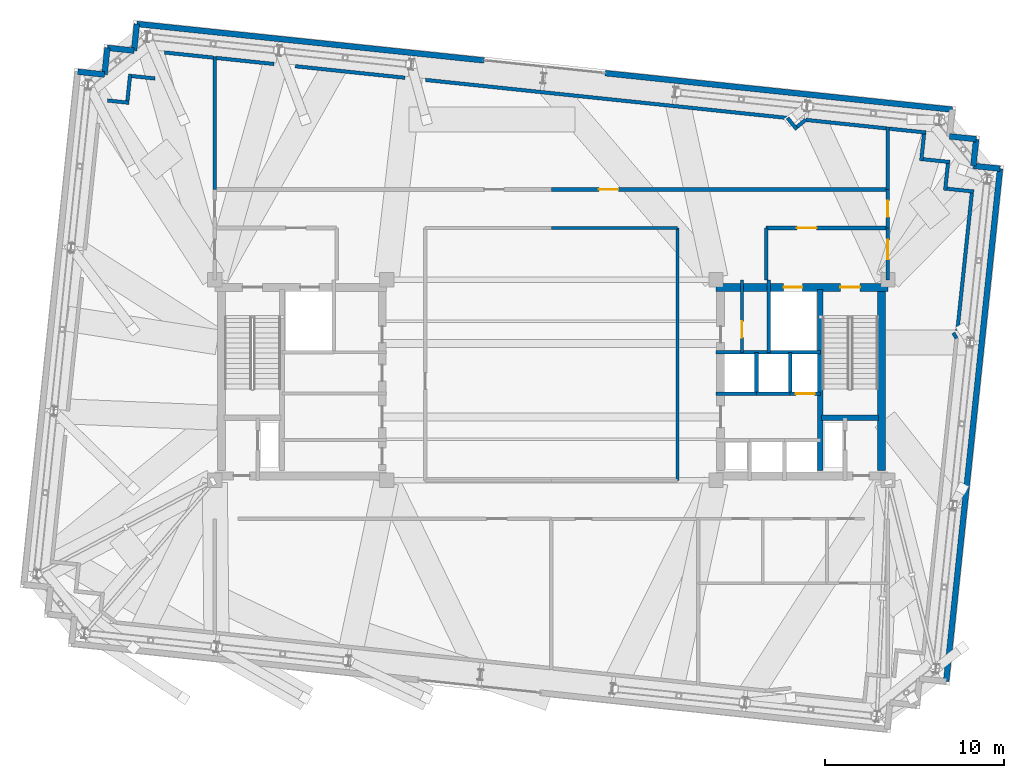
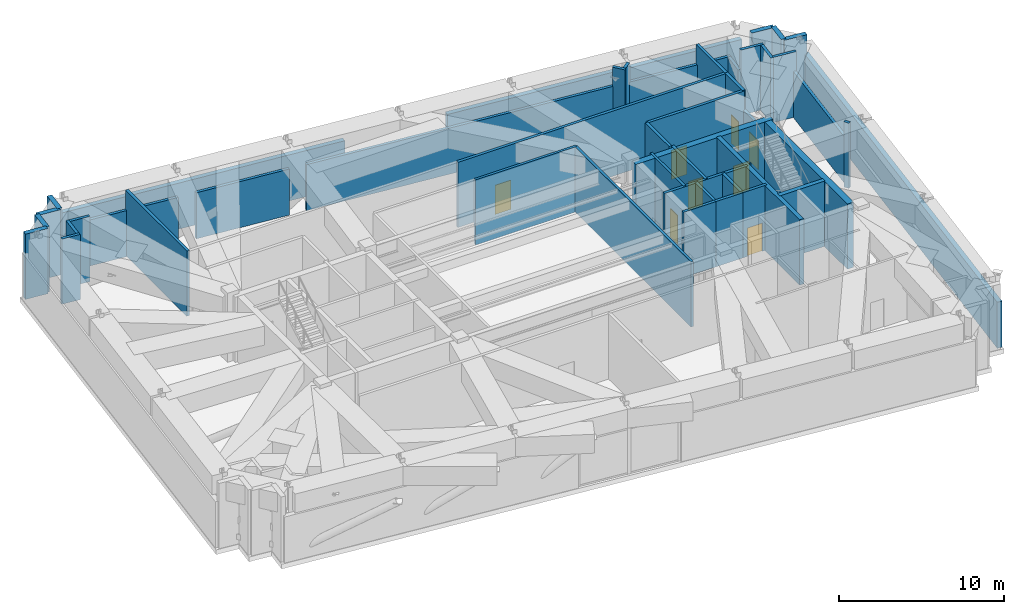
# One storey, part 18 of 21: 48 walls, 8 doors, 8 openings.
"""IFC4 building model written with IfcOpenShell, lengths in metres."""

from ifc_helpers import new_model, si_unit, direction, frame, frame_2d, origin, place, context, subcontext, project, spatial, rectangle, extrude, material, layer, layer_set, type_object, element, fill, save


model = new_model("IFC4")

# Units and contexts
model_context = context("Model", 3, precision=1e-05, world=origin(), true_north=direction((0.0, 1.0)))
body_context = subcontext(model_context, "Body", "Model", "MODEL_VIEW")
ifc_project = project(units=[si_unit("LENGTHUNIT", "METRE"), si_unit("AREAUNIT", "SQUARE_METRE"), si_unit("VOLUMEUNIT", "CUBIC_METRE"), si_unit("PLANEANGLEUNIT", "RADIAN"), si_unit("MASSUNIT", "GRAM", prefix="KILO")], contexts=[model_context])

# Site, building, storey
site_placement = place(None, origin())
site = spatial("IfcSite", under=ifc_project, at=site_placement, CompositionType="ELEMENT")
building_placement = place(site_placement, origin())
building = spatial("IfcBuilding", under=site, at=building_placement, Name="Qobustan Lattice House", CompositionType="ELEMENT")
storey_placement = place(building_placement, frame((0.0, 0.0, 223.199951171875)))
storey = spatial("IfcBuildingStorey", under=building, at=storey_placement, Name="L63", CompositionType="ELEMENT", Elevation=223.199951171875)

# Wall, openings, doors
ifc_material_1 = material(Name="Concrete C50/60", Category="concrete")
ifc_layer_1 = layer(ifc_material_1, 0.43994140625)
ifc_layer_set_1 = layer_set([ifc_layer_1], Name="Concrete C50/60")
wall_type_1 = type_object("IfcWallType", Name="WAL-CORE-440", PredefinedType="SHEAR", material=ifc_layer_set_1)
wall_1_placement = place(storey_placement, frame((9.199951171875, 5.179931640625, 0.0), z_axis=(0.0, 0.0, 1.0), x_axis=(1.0, 0.0, 0.0)))
wall_1 = element("IfcWall", 1, at=wall_1_placement, inside=storey, type_object=wall_type_1, Name="L63 split-core shear wall CE-N", PredefinedType="SHEAR", context=body_context, shape_type="SweptSolid", body=[
    extrude(rectangle(XDim=9.60009765625, YDim=0.43994140625, at=frame_2d((4.800048828125, 0.0))), origin(), (0.0, 0.0, 1.0), 4.820068359375),
])
opening_1_placement = place(wall_1_placement, frame((6.949951171875, 0.0, 0.0)))
opening_1 = element("IfcOpeningElement", 2, at=opening_1_placement, cuts=wall_1, Name="Opening SD-01", PredefinedType="OPENING", context=body_context, shape_type="SweptSolid", body=[
    extrude(rectangle(XDim=1.10009765625, YDim=2.14990234375, at=frame_2d((0.550048828125, 1.074951171875))), frame((0.0, 0.22998046875, 0.0), z_axis=(0.0, -1.0, 0.0), x_axis=(1.0, 0.0, 0.0)), (0.0, 0.0, 1.0), 0.4599609375),
])
opening_2_placement = place(wall_1_placement, frame((3.77490234375, 0.0, 0.0)))
opening_2 = element("IfcOpeningElement", 3, at=opening_2_placement, cuts=wall_1, Name="Opening LD-01", PredefinedType="OPENING", context=body_context, shape_type="SweptSolid", body=[
    extrude(rectangle(XDim=1.050048828125, YDim=2.10009765625, at=frame_2d((0.52490234375, 1.050048828125))), frame((0.0, 0.22998046875, 0.0), z_axis=(0.0, -1.0, 0.0), x_axis=(1.0, 0.0, 0.0)), (0.0, 0.0, 1.0), 0.4599609375),
])
ifc_material_2 = material(Name="Persian walnut timber and steel frame door", Category="steel")
door_type_1 = type_object("IfcDoorType", Name="DOR-LIFT-LD-1050x2100", OperationType="NOTDEFINED", PredefinedType="DOOR", material=ifc_material_2)
door_1_placement = place(opening_2_placement, origin())
door_1 = element("IfcDoor", 4, at=door_1_placement, inside=storey, type_object=door_type_1, Name="L63 firefighting lift FF-E landing door", OperationType="DOUBLE_DOOR_SLIDING", OverallHeight=2.10009765625, OverallWidth=1.050048828125, PredefinedType="DOOR", context=body_context, shape_type="SweptSolid", body=[
    extrude(rectangle(XDim=1.050048828125, YDim=2.10009765625, at=frame_2d((0.52490234375, 1.050048828125))), frame((0.0, 0.02490234375, 0.0), z_axis=(0.0, -1.0, 0.0), x_axis=(1.0, 0.0, 0.0)), (0.0, 0.0, 1.0), 0.050048828125),
])
fill(opening_2, door_1)
ifc_material_3 = material(Name="Persian walnut timber and steel frame door", Category="steel")
door_type_2 = type_object("IfcDoorType", Name="DOR-STAIR-FD-1100x2150", OperationType="NOTDEFINED", PredefinedType="DOOR", material=ifc_material_3)
door_2_placement = place(opening_1_placement, origin())
door_2 = element("IfcDoor", 5, at=door_2_placement, inside=storey, type_object=door_type_2, Name="L63 exit stair ST-E1 fire door", OperationType="SINGLE_SWING_RIGHT", OverallHeight=2.14990234375, OverallWidth=1.10009765625, PredefinedType="DOOR", context=body_context, shape_type="SweptSolid", body=[
    extrude(rectangle(XDim=1.10009765625, YDim=2.14990234375, at=frame_2d((0.550048828125, 1.074951171875))), frame((0.0, 0.02490234375, 0.0), z_axis=(0.0, -1.0, 0.0), x_axis=(1.0, 0.0, 0.0)), (0.0, 0.0, 1.0), 0.050048828125),
])
fill(opening_1, door_2)

# Walls
wall_2_placement = place(storey_placement, frame((18.429931640625, -5.050048828125, 0.0), z_axis=(0.0, 0.0, 1.0), x_axis=(0.0, 1.0, 0.0)))
element("IfcWall", 6, at=wall_2_placement, inside=storey, type_object=wall_type_1, Name="L63 split-core shear wall CE-E", PredefinedType="SHEAR", context=body_context, shape_type="SweptSolid", body=[
    extrude(rectangle(XDim=10.10009765625, YDim=0.43994140625, at=frame_2d((5.050048828125, 0.0))), origin(), (0.0, 0.0, 1.0), 4.820068359375),
])
ifc_material_4 = material(Name="Concrete C50/60", Category="concrete")
ifc_layer_2 = layer(ifc_material_4, 0.280029296875)
ifc_layer_set_2 = layer_set([ifc_layer_2], Name="Concrete C50/60")
wall_type_2 = type_object("IfcWallType", Name="WAL-CORE-SPINE-280", PredefinedType="SHEAR", material=ifc_layer_set_2)
wall_3_placement = place(storey_placement, frame((15.02001953125, -5.050048828125, 0.0), z_axis=(0.0, 0.0, 1.0), x_axis=(0.0, 1.0, 0.0)))
element("IfcWall", 7, at=wall_3_placement, inside=storey, type_object=wall_type_2, Name="L63 split-core shear wall CE-M", PredefinedType="SHEAR", context=body_context, shape_type="SweptSolid", body=[
    extrude(rectangle(XDim=10.10009765625, YDim=0.300048828125, at=frame_2d((5.050048828125, 0.0))), origin(), (0.0, 0.0, 1.0), 4.820068359375),
])
wall_4_placement = place(storey_placement, frame((15.10009765625, -2.110107421875, 0.0), z_axis=(0.0, 0.0, 1.0), x_axis=(1.0, 0.0, 0.0)))
element("IfcWall", 8, at=wall_4_placement, inside=storey, type_object=wall_type_2, Name="L63 split-core shear wall CE-ST", PredefinedType="SHEAR", context=body_context, shape_type="SweptSolid", body=[
    extrude(rectangle(XDim=3.179931640625, YDim=0.300048828125, at=frame_2d((1.58984375, 0.0))), origin(), (0.0, 0.0, 1.0), 4.820068359375),
])
ifc_material_5 = material(Name="Precast concrete C40/50", Category="concrete")
ifc_layer_3 = layer(ifc_material_5, 0.320068359375)
ifc_layer_set_3 = layer_set([ifc_layer_3], Name="Precast concrete C40/50")
wall_type_3 = type_object("IfcWallType", Name="WAL-EXT-STONE-320", PredefinedType="SOLIDWALL", material=ifc_layer_set_3)
wall_5_placement = place(storey_placement, frame((-26.452880859375, 17.228515625, 0.0), z_axis=(0.0, 0.0, 1.0), x_axis=(0.994508128223, -0.104659366031, 0.0)))
element("IfcWall", 9, at=wall_5_placement, inside=storey, type_object=wall_type_3, Name="L63 exterior limestone-clad wall 6", PredefinedType="SOLIDWALL", context=body_context, shape_type="SweptSolid", body=[
    extrude(rectangle(XDim=1.5, YDim=0.320068359375, at=frame_2d((0.75, 0.0))), origin(), (0.0, 0.0, 1.0), 4.820068359375),
])
wall_6_placement = place(storey_placement, frame((-24.961181640625, 17.071533203125, 0.0), z_axis=(0.0, 0.0, 1.0), x_axis=(0.104642427191, 0.994509910675, 0.0)))
element("IfcWall", 10, at=wall_6_placement, inside=storey, type_object=wall_type_3, Name="L63 exterior limestone-clad wall 7", PredefinedType="SOLIDWALL", context=body_context, shape_type="SweptSolid", body=[
    extrude(rectangle(XDim=1.500244140625, YDim=0.320068359375, at=frame_2d((0.75, 0.0))), origin(), (0.0, 0.0, 1.0), 4.820068359375),
])
wall_7_placement = place(storey_placement, frame((-24.80419921875, 18.5634765625, 0.0), z_axis=(0.0, 0.0, 1.0), x_axis=(0.994508128223, -0.104659366031, 0.0)))
element("IfcWall", 11, at=wall_7_placement, inside=storey, type_object=wall_type_3, Name="L63 exterior limestone-clad wall 8", PredefinedType="SOLIDWALL", context=body_context, shape_type="SweptSolid", body=[
    extrude(rectangle(XDim=1.5, YDim=0.320068359375, at=frame_2d((0.75, 0.0))), origin(), (0.0, 0.0, 1.0), 4.820068359375),
])
wall_8_placement = place(storey_placement, frame((-23.3125, 18.406494140625, 0.0), z_axis=(0.0, 0.0, 1.0), x_axis=(0.104481464157, 0.994526834051, 0.0)))
element("IfcWall", 12, at=wall_8_placement, inside=storey, type_object=wall_type_3, Name="L63 exterior limestone-clad wall 9", PredefinedType="SOLIDWALL", context=body_context, shape_type="SweptSolid", body=[
    extrude(rectangle(XDim=1.500244140625, YDim=0.320068359375, at=frame_2d((0.75, 0.0))), origin(), (0.0, 0.0, 1.0), 4.820068359375),
])
for number, where, z_axis, x_axis, name in (
    (13, (-23.15576171875, 19.8984375, 0.0), (0.0, 0.0, 1.0), (0.994521699907, -0.104530322941, 0.0), "L63 exterior stone wall 10A"),
    (14, (3.000244140625, 17.1494140625, 0.0), (0.0, 0.0, 1.0), (0.994521699907, -0.104530322941, 0.0), "L63 exterior stone wall 10B"),
):
    element("IfcWall", number, at=place(storey_placement, frame(where, z_axis=z_axis, x_axis=x_axis)), inside=storey, type_object=wall_type_3, Name=name, PredefinedType="SOLIDWALL", context=body_context, shape_type="SweptSolid", body=[
        extrude(rectangle(XDim=19.5, YDim=0.320068359375, at=frame_2d((9.75, 0.0))), origin(), (0.0, 0.0, 1.0), 3.405029296875),
    ])
for number, where, z_axis, x_axis, name in (
    (15, (22.236572265625, 13.619140625, 0.0), (0.0, 0.0, 1.0), (0.994525057048, -0.104498377516, 0.0), "L63 exterior limestone-clad wall 12"),
    (16, (23.728271484375, 13.46240234375, 0.0), (0.0, 0.0, 1.0), (-0.104498377516, -0.994525057048, 0.0), "L63 exterior limestone-clad wall 13"),
    (17, (23.571533203125, 11.970703125, 0.0), (0.0, 0.0, 1.0), (0.994508128223, -0.104659366031, 0.0), "L63 exterior limestone-clad wall 14"),
):
    element("IfcWall", number, at=place(storey_placement, frame(where, z_axis=z_axis, x_axis=x_axis)), inside=storey, type_object=wall_type_3, Name=name, PredefinedType="SOLIDWALL", context=body_context, shape_type="SweptSolid", body=[
        extrude(rectangle(XDim=1.5, YDim=0.320068359375, at=frame_2d((0.75, 0.0))), origin(), (0.0, 0.0, 1.0), 4.820068359375),
    ])
wall_9_placement = place(storey_placement, frame((25.063232421875, 11.813720703125, 0.0), z_axis=(0.0, 0.0, 1.0), x_axis=(-0.104523275986, -0.99452244056, 0.0)))
element("IfcWall", 18, at=wall_9_placement, inside=storey, type_object=wall_type_3, Name="L63 exterior limestone-clad wall 15", PredefinedType="SOLIDWALL", context=body_context, shape_type="SweptSolid", body=[
    extrude(rectangle(XDim=28.7998046875, YDim=0.320068359375, at=frame_2d((14.39990234375, 0.0))), origin(), (0.0, 0.0, 1.0), 3.405029296875),
])

# Wall, opening, door
ifc_material_6 = material(Name="Gypsum fireboard acoustic partition", Category="gypsum")
ifc_layer_4 = layer(ifc_material_6, 0.179931640625)
ifc_layer_set_4 = layer_set([ifc_layer_4], Name="Gypsum fireboard acoustic partition")
wall_type_4 = type_object("IfcWallType", Name="WAL-FIRE-180", PredefinedType="PARTITIONING", material=ifc_layer_set_4)
wall_10_placement = place(storey_placement, frame((10.64990234375, 1.550048828125, 0.0), z_axis=(0.0, 0.0, 1.0), x_axis=(0.0, 1.0, 0.0)))
wall_10 = element("IfcWall", 19, at=wall_10_placement, inside=storey, type_object=wall_type_4, Name="L63 interior partition 18", PredefinedType="PARTITIONING", context=body_context, shape_type="SweptSolid", body=[
    extrude(rectangle(XDim=4.050048828125, YDim=0.179931640625, at=frame_2d((2.02490234375, 0.0))), origin(), (0.0, 0.0, 1.0), 4.820068359375),
])
opening_3_placement = place(wall_10_placement, frame((0.828857421875, 0.0, 0.0)))
opening_3 = element("IfcOpeningElement", 20, at=opening_3_placement, cuts=wall_10, Name="Opening RD-01", PredefinedType="OPENING", context=body_context, shape_type="SweptSolid", body=[
    extrude(rectangle(XDim=0.89990234375, YDim=2.10009765625, at=frame_2d((0.449951171875, 1.050048828125))), frame((0.0, 0.099853515625, 0.0), z_axis=(0.0, -1.0, 0.0), x_axis=(1.0, 0.0, 0.0)), (0.0, 0.0, 1.0), 0.199951171875),
])
ifc_material_7 = material(Name="Persian walnut timber and steel frame door", Category="steel")
door_type_3 = type_object("IfcDoorType", Name="DOR-RISER-FD-900x2100", OperationType="NOTDEFINED", PredefinedType="DOOR", material=ifc_material_7)
door_3_placement = place(opening_3_placement, origin())
door_3 = element("IfcDoor", 21, at=door_3_placement, inside=storey, type_object=door_type_3, Name="L63 Print and mail closet to Core utility store door", OperationType="SINGLE_SWING_LEFT", OverallHeight=2.10009765625, OverallWidth=0.89990234375, PredefinedType="DOOR", context=body_context, shape_type="SweptSolid", body=[
    extrude(rectangle(XDim=0.89990234375, YDim=2.10009765625, at=frame_2d((0.449951171875, 1.050048828125))), frame((0.0, 0.02490234375, 0.0), z_axis=(0.0, -1.0, 0.0), x_axis=(1.0, 0.0, 0.0)), (0.0, 0.0, 1.0), 0.050048828125),
])
fill(opening_3, door_3)

# Walls
wall_11_placement = place(storey_placement, frame((7.050048828125, 8.5, 0.0), z_axis=(0.0, 0.0, 1.0), x_axis=(-1.0, 0.0, 0.0)))
element("IfcWall", 22, at=wall_11_placement, inside=storey, type_object=wall_type_4, Name="L63 interior partition 36", PredefinedType="PARTITIONING", context=body_context, shape_type="SweptSolid", body=[
    extrude(rectangle(XDim=7.050048828125, YDim=0.179931640625, at=frame_2d((3.52490234375, 0.0))), origin(), (0.0, 0.0, 1.0), 4.820068359375),
])
wall_12_placement = place(storey_placement, frame((7.050048828125, -5.60009765625, 0.0), z_axis=(0.0, 0.0, 1.0), x_axis=(0.0, 1.0, 0.0)))
element("IfcWall", 23, at=wall_12_placement, inside=storey, type_object=wall_type_4, Name="L63 interior partition 45", PredefinedType="PARTITIONING", context=body_context, shape_type="SweptSolid", body=[
    extrude(rectangle(XDim=14.10009765625, YDim=0.179931640625, at=frame_2d((7.050048828125, 0.0))), origin(), (0.0, 0.0, 1.0), 4.820068359375),
])
ifc_material_8 = material(Name="Two-hour gypsum fireboard acoustic partition", Category="gypsum")
ifc_layer_5 = layer(ifc_material_8, 0.199951171875)
ifc_layer_set_5 = layer_set([ifc_layer_5], Name="Two-hour gypsum fireboard acoustic partition")
wall_type_5 = type_object("IfcWallType", Name="WAL-PROT-200", PredefinedType="PARTITIONING", material=ifc_layer_set_5)
wall_13_placement = place(storey_placement, frame((-24.7958984375, 15.621337890625, 0.0), z_axis=(0.0, 0.0, 1.0), x_axis=(0.994514301173, -0.104600691981, 0.0)))
element("IfcWall", 24, at=wall_13_placement, inside=storey, type_object=wall_type_5, Name="L63 perimeter belt-truss plenum enclosure wall 3", PredefinedType="PARTITIONING", context=body_context, shape_type="SweptSolid", body=[
    extrude(rectangle(XDim=1.208984375, YDim=0.199951171875, at=frame_2d((0.6044921875, 0.0))), origin(), (0.0, 0.0, 1.0), 4.820068359375),
])
wall_14_placement = place(storey_placement, frame((-23.68359375, 15.593017578125, 0.0), z_axis=(0.0, 0.0, 1.0), x_axis=(0.104474642843, 0.99452755065, 0.0)))
element("IfcWall", 25, at=wall_14_placement, inside=storey, type_object=wall_type_5, Name="L63 perimeter belt-truss plenum enclosure wall 4", PredefinedType="PARTITIONING", context=body_context, shape_type="SweptSolid", body=[
    extrude(rectangle(XDim=1.511962890625, YDim=0.199951171875, at=frame_2d((0.755859375, 0.0))), origin(), (0.0, 0.0, 1.0), 4.820068359375),
])
wall_15_placement = place(storey_placement, frame((-23.448486328125, 16.988037109375, 0.0), z_axis=(0.0, 0.0, 1.0), x_axis=(0.994524760271, -0.104501201947, 0.0)))
element("IfcWall", 26, at=wall_15_placement, inside=storey, type_object=wall_type_5, Name="L63 perimeter belt-truss plenum enclosure wall 5", PredefinedType="PARTITIONING", context=body_context, shape_type="SweptSolid", body=[
    extrude(rectangle(XDim=1.315185546875, YDim=0.199951171875, at=frame_2d((0.65771484375, 0.0))), origin(), (0.0, 0.0, 1.0), 4.820068359375),
])
wall_16_placement = place(storey_placement, frame((-21.60791015625, 18.302734375, 0.0), z_axis=(0.0, 0.0, 1.0), x_axis=(0.994526852179, -0.104481291599, 0.0)))
element("IfcWall", 27, at=wall_16_placement, inside=storey, type_object=wall_type_5, Name="L63 perimeter belt-truss plenum enclosure wall 6", PredefinedType="PARTITIONING", context=body_context, shape_type="SweptSolid", body=[
    extrude(rectangle(XDim=2.748046875, YDim=0.199951171875, at=frame_2d((1.3740234375, 0.0))), origin(), (0.0, 0.0, 1.0), 3.405029296875),
])
wall_17_placement = place(storey_placement, frame((-7.03515625, 16.771240234375, 0.0), z_axis=(0.0, 0.0, 1.0), x_axis=(0.994521160906, -0.104535450973, 0.0)))
element("IfcWall", 28, at=wall_17_placement, inside=storey, type_object=wall_type_5, Name="L63 perimeter belt-truss plenum enclosure wall 16", PredefinedType="PARTITIONING", context=body_context, shape_type="SweptSolid", body=[
    extrude(rectangle(XDim=20.339599609375, YDim=0.199951171875, at=frame_2d((10.169921875, 0.0))), origin(), (0.0, 0.0, 1.0), 3.405029296875),
])
wall_18_placement = place(storey_placement, frame((13.193115234375, 14.64501953125, 0.0), z_axis=(0.0, 0.0, 1.0), x_axis=(0.629378493195, -0.777098907671, 0.0)))
element("IfcWall", 29, at=wall_18_placement, inside=storey, type_object=wall_type_5, Name="L63 perimeter belt-truss plenum enclosure wall 17", PredefinedType="PARTITIONING", context=body_context, shape_type="SweptSolid", body=[
    extrude(rectangle(XDim=0.818115234375, YDim=0.199951171875, at=frame_2d((0.4091796875, 0.0))), origin(), (0.0, 0.0, 1.0), 4.820068359375),
])
wall_19_placement = place(storey_placement, frame((13.71337890625, 14.142333984375, 0.0), z_axis=(0.0, 0.0, 1.0), x_axis=(0.777380154482, 0.629031076671, 0.0)))
element("IfcWall", 30, at=wall_19_placement, inside=storey, type_object=wall_type_5, Name="L63 perimeter belt-truss plenum enclosure wall 18", PredefinedType="PARTITIONING", context=body_context, shape_type="SweptSolid", body=[
    extrude(rectangle(XDim=0.63037109375, YDim=0.199951171875, at=frame_2d((0.315185546875, 0.0))), origin(), (0.0, 0.0, 1.0), 4.820068359375),
])
wall_20_placement = place(storey_placement, frame((14.203369140625, 14.538818359375, 0.0), z_axis=(0.0, 0.0, 1.0), x_axis=(0.994525442473, -0.104494709306, 0.0)))
element("IfcWall", 31, at=wall_20_placement, inside=storey, type_object=wall_type_5, Name="L63 perimeter belt-truss plenum enclosure wall 19", PredefinedType="PARTITIONING", context=body_context, shape_type="SweptSolid", body=[
    extrude(rectangle(XDim=4.546630859375, YDim=0.199951171875, at=frame_2d((2.2734375, 0.0))), origin(), (0.0, 0.0, 1.0), 3.405029296875),
])
wall_21_placement = place(storey_placement, frame((-18.72509765625, 17.999755859375, 0.0), z_axis=(0.0, 0.0, 1.0), x_axis=(0.994523142387, -0.104516597995, 0.0)))
element("IfcWall", 32, at=wall_21_placement, inside=storey, type_object=wall_type_5, Name="L63 perimeter belt-truss plenum enclosure wall 20", PredefinedType="PARTITIONING", context=body_context, shape_type="SweptSolid", body=[
    extrude(rectangle(XDim=3.249267578125, YDim=0.199951171875, at=frame_2d((1.62451171875, 0.0))), origin(), (0.0, 0.0, 1.0), 3.405029296875),
])
wall_22_placement = place(storey_placement, frame((-14.305908203125, 17.535400390625, 0.0), z_axis=(0.0, 0.0, 1.0), x_axis=(0.994519987279, -0.104546615935, 0.0)))
element("IfcWall", 33, at=wall_22_placement, inside=storey, type_object=wall_type_5, Name="L63 perimeter belt-truss plenum enclosure wall 21", PredefinedType="PARTITIONING", context=body_context, shape_type="SweptSolid", body=[
    extrude(rectangle(XDim=6.16259765625, YDim=0.199951171875, at=frame_2d((3.081298828125, 0.0))), origin(), (0.0, 0.0, 1.0), 3.405029296875),
])
wall_23_placement = place(storey_placement, frame((23.48779296875, 10.4580078125, 0.0), z_axis=(0.0, 0.0, 1.0), x_axis=(-0.104512047203, -0.994523620629, 0.0)))
element("IfcWall", 34, at=wall_23_placement, inside=storey, type_object=wall_type_5, Name="L63 perimeter belt-truss plenum enclosure wall 27", PredefinedType="PARTITIONING", context=body_context, shape_type="SweptSolid", body=[
    extrude(rectangle(XDim=7.72509765625, YDim=0.199951171875, at=frame_2d((3.862548828125, 0.0))), origin(), (0.0, 0.0, 1.0), 3.405029296875),
])
wall_24_placement = place(storey_placement, frame((22.453125, 2.637939453125, 0.0), z_axis=(0.0, 0.0, 1.0), x_axis=(0.516744077091, -0.856139917765, 0.0)))
element("IfcWall", 35, at=wall_24_placement, inside=storey, type_object=wall_type_5, Name="L63 perimeter belt-truss plenum enclosure wall 28", PredefinedType="PARTITIONING", context=body_context, shape_type="SweptSolid", body=[
    extrude(rectangle(XDim=0.35107421875, YDim=0.199951171875, at=frame_2d((0.175537109375, 0.0))), origin(), (0.0, 0.0, 1.0), 4.820068359375),
])
wall_25_placement = place(storey_placement, frame((18.875, 14.0478515625, 0.0), z_axis=(0.0, 0.0, 1.0), x_axis=(0.994537827418, -0.104376768656, 0.0)))
element("IfcWall", 36, at=wall_25_placement, inside=storey, type_object=wall_type_5, Name="L63 perimeter belt-truss plenum enclosure wall 32", PredefinedType="PARTITIONING", context=body_context, shape_type="SweptSolid", body=[
    extrude(rectangle(XDim=2.06298828125, YDim=0.199951171875, at=frame_2d((1.031494140625, 0.0))), origin(), (0.0, 0.0, 1.0), 3.405029296875),
])
wall_26_placement = place(storey_placement, frame((20.818115234375, 13.75537109375, 0.0), z_axis=(0.0, 0.0, 1.0), x_axis=(-0.104617551623, -0.994512527771, 0.0)))
element("IfcWall", 37, at=wall_26_placement, inside=storey, type_object=wall_type_5, Name="L63 perimeter belt-truss plenum enclosure wall 33", PredefinedType="PARTITIONING", context=body_context, shape_type="SweptSolid", body=[
    extrude(rectangle(XDim=1.51220703125, YDim=0.199951171875, at=frame_2d((0.756103515625, 0.0))), origin(), (0.0, 0.0, 1.0), 3.405029296875),
])
for number, where, z_axis, x_axis, name in (
    (38, (20.7578125, 12.341796875, 0.0), (0.0, 0.0, 1.0), (0.994512527771, -0.104617551623, 0.0), "L63 perimeter belt-truss plenum enclosure wall 34"),
    (39, (22.153076171875, 12.106689453125, 0.0), (0.0, 0.0, 1.0), (-0.104457867749, -0.994529312723, 0.0), "L63 perimeter belt-truss plenum enclosure wall 35"),
):
    element("IfcWall", number, at=place(storey_placement, frame(where, z_axis=z_axis, x_axis=x_axis)), inside=storey, type_object=wall_type_5, Name=name, PredefinedType="PARTITIONING", context=body_context, shape_type="SweptSolid", body=[
        extrude(rectangle(XDim=1.51220703125, YDim=0.199951171875, at=frame_2d((0.756103515625, 0.0))), origin(), (0.0, 0.0, 1.0), 4.820068359375),
    ])
wall_27_placement = place(storey_placement, frame((22.093017578125, 10.693115234375, 0.0), z_axis=(0.0, 0.0, 1.0), x_axis=(0.99452755065, -0.104474642843, 0.0)))
element("IfcWall", 40, at=wall_27_placement, inside=storey, type_object=wall_type_5, Name="L63 perimeter belt-truss plenum enclosure wall 36", PredefinedType="PARTITIONING", context=body_context, shape_type="SweptSolid", body=[
    extrude(rectangle(XDim=1.511962890625, YDim=0.199951171875, at=frame_2d((0.755859375, 0.0))), origin(), (0.0, 0.0, 1.0), 4.820068359375),
])

# Wall, opening, door
wall_28_placement = place(storey_placement, frame((18.800048828125, 8.5, 0.0), z_axis=(0.0, 0.0, 1.0), x_axis=(-1.0, 0.0, 0.0)))
wall_28 = element("IfcWall", 41, at=wall_28_placement, inside=storey, type_object=wall_type_5, Name="L63 interior partition 15", PredefinedType="PARTITIONING", context=body_context, shape_type="SweptSolid", body=[
    extrude(rectangle(XDim=6.800048828125, YDim=0.199951171875, at=frame_2d((3.39990234375, 0.0))), origin(), (0.0, 0.0, 1.0), 4.820068359375),
])
opening_4_placement = place(wall_28_placement, frame((3.985107421875, 0.0, 0.0)))
opening_4 = element("IfcOpeningElement", 42, at=opening_4_placement, cuts=wall_28, Name="Opening SD-01", PredefinedType="OPENING", context=body_context, shape_type="SweptSolid", body=[
    extrude(rectangle(XDim=1.10009765625, YDim=2.14990234375, at=frame_2d((0.550048828125, 1.074951171875))), frame((0.0, 0.10986328125, 0.0), z_axis=(0.0, -1.0, 0.0), x_axis=(1.0, 0.0, 0.0)), (0.0, 0.0, 1.0), 0.219970703125),
])
door_4_placement = place(opening_4_placement, origin())
door_4 = element("IfcDoor", 43, at=door_4_placement, inside=storey, type_object=door_type_2, Name="L63 East firefighting lift lobby to North-east mechanical plant corridor door", OperationType="SINGLE_SWING_LEFT", OverallHeight=2.14990234375, OverallWidth=1.10009765625, PredefinedType="DOOR", context=body_context, shape_type="SweptSolid", body=[
    extrude(rectangle(XDim=1.10009765625, YDim=2.14990234375, at=frame_2d((0.550048828125, 1.074951171875))), frame((0.0, 0.02490234375, 0.0), z_axis=(0.0, -1.0, 0.0), x_axis=(1.0, 0.0, 0.0)), (0.0, 0.0, 1.0), 0.050048828125),
])
fill(opening_4, door_4)

# Wall
wall_29_placement = place(storey_placement, frame((12.0, 8.5, 0.0), z_axis=(0.0, 0.0, 1.0), x_axis=(0.0, -1.0, 0.0)))
element("IfcWall", 44, at=wall_29_placement, inside=storey, type_object=wall_type_5, Name="L63 interior partition 16", PredefinedType="PARTITIONING", context=body_context, shape_type="SweptSolid", body=[
    extrude(rectangle(XDim=2.89990234375, YDim=0.199951171875, at=frame_2d((1.449951171875, 0.0))), origin(), (0.0, 0.0, 1.0), 4.820068359375),
])

# Wall, opening, door
wall_30_placement = place(storey_placement, frame((18.800048828125, 5.60009765625, 0.0), z_axis=(0.0, 0.0, 1.0), x_axis=(0.0, 1.0, 0.0)))
wall_30 = element("IfcWall", 45, at=wall_30_placement, inside=storey, type_object=wall_type_5, Name="L63 interior partition 17", PredefinedType="PARTITIONING", context=body_context, shape_type="SweptSolid", body=[
    extrude(rectangle(XDim=2.89990234375, YDim=0.199951171875, at=frame_2d((1.449951171875, 0.0))), origin(), (0.0, 0.0, 1.0), 3.405029296875),
])
opening_5_placement = place(wall_30_placement, frame((1.139892578125, 0.0, 0.0)))
opening_5 = element("IfcOpeningElement", 46, at=opening_5_placement, cuts=wall_30, Name="Opening SD-01", PredefinedType="OPENING", context=body_context, shape_type="SweptSolid", body=[
    extrude(rectangle(XDim=1.10009765625, YDim=2.14990234375, at=frame_2d((0.550048828125, 1.074951171875))), frame((0.0, 0.10986328125, 0.0), z_axis=(0.0, -1.0, 0.0), x_axis=(1.0, 0.0, 0.0)), (0.0, 0.0, 1.0), 0.219970703125),
])
door_5_placement = place(opening_5_placement, origin())
door_5 = element("IfcDoor", 47, at=door_5_placement, inside=storey, type_object=door_type_2, Name="L63 East firefighting lift lobby to East protected refuge area door", OperationType="SINGLE_SWING_RIGHT", OverallHeight=2.14990234375, OverallWidth=1.10009765625, PredefinedType="DOOR", context=body_context, shape_type="SweptSolid", body=[
    extrude(rectangle(XDim=1.10009765625, YDim=2.14990234375, at=frame_2d((0.550048828125, 1.074951171875))), frame((0.0, 0.02490234375, 0.0), z_axis=(0.0, -1.0, 0.0), x_axis=(1.0, 0.0, 0.0)), (0.0, 0.0, 1.0), 0.050048828125),
])
fill(opening_5, door_5)

wall_31_placement = place(storey_placement, frame((18.800048828125, 10.64990234375, 0.0), z_axis=(0.0, 0.0, 1.0), x_axis=(0.0, -1.0, 0.0)))
wall_31 = element("IfcWall", 48, at=wall_31_placement, inside=storey, type_object=wall_type_5, Name="L63 interior partition 34", PredefinedType="PARTITIONING", context=body_context, shape_type="SweptSolid", body=[
    extrude(rectangle(XDim=2.14990234375, YDim=0.199951171875, at=frame_2d((1.074951171875, 0.0))), origin(), (0.0, 0.0, 1.0), 4.820068359375),
])
opening_6_placement = place(wall_31_placement, frame((0.625, 0.0, 0.0)))
opening_6 = element("IfcOpeningElement", 49, at=opening_6_placement, cuts=wall_31, Name="Opening RD-01", PredefinedType="OPENING", context=body_context, shape_type="SweptSolid", body=[
    extrude(rectangle(XDim=0.89990234375, YDim=2.10009765625, at=frame_2d((0.449951171875, 1.050048828125))), frame((0.0, 0.10986328125, 0.0), z_axis=(0.0, -1.0, 0.0), x_axis=(1.0, 0.0, 0.0)), (0.0, 0.0, 1.0), 0.219970703125),
])
door_6_placement = place(opening_6_placement, origin())
door_6 = element("IfcDoor", 50, at=door_6_placement, inside=storey, type_object=door_type_3, Name="L63 North-east mechanical plant corridor to East protected refuge area door", OperationType="SINGLE_SWING_RIGHT", OverallHeight=2.10009765625, OverallWidth=0.89990234375, PredefinedType="DOOR", context=body_context, shape_type="SweptSolid", body=[
    extrude(rectangle(XDim=0.89990234375, YDim=2.10009765625, at=frame_2d((0.449951171875, 1.050048828125))), frame((0.0, 0.02490234375, 0.0), z_axis=(0.0, -1.0, 0.0), x_axis=(1.0, 0.0, 0.0)), (0.0, 0.0, 1.0), 0.050048828125),
])
fill(opening_6, door_6)

wall_32_placement = place(storey_placement, frame((0.0, 10.64990234375, 0.0), z_axis=(0.0, 0.0, 1.0), x_axis=(1.0, 0.0, 0.0)))
wall_32 = element("IfcWall", 51, at=wall_32_placement, inside=storey, type_object=wall_type_5, Name="L63 interior partition 35", PredefinedType="PARTITIONING", context=body_context, shape_type="SweptSolid", body=[
    extrude(rectangle(XDim=18.800048828125, YDim=0.199951171875, at=frame_2d((9.39990234375, 0.0))), origin(), (0.0, 0.0, 1.0), 4.820068359375),
])
opening_7_placement = place(wall_32_placement, frame((2.6474609375, 0.0, 0.0)))
opening_7 = element("IfcOpeningElement", 52, at=opening_7_placement, cuts=wall_32, Name="Opening SD-01", PredefinedType="OPENING", context=body_context, shape_type="SweptSolid", body=[
    extrude(rectangle(XDim=1.10009765625, YDim=2.14990234375, at=frame_2d((0.550048828125, 1.074951171875))), frame((0.0, 0.10986328125, 0.0), z_axis=(0.0, -1.0, 0.0), x_axis=(1.0, 0.0, 0.0)), (0.0, 0.0, 1.0), 0.219970703125),
])
door_7_placement = place(opening_7_placement, origin())
door_7 = element("IfcDoor", 53, at=door_7_placement, inside=storey, type_object=door_type_2, Name="L63 North-east mechanical plant corridor to North protected refuge area door", OperationType="SINGLE_SWING_LEFT", OverallHeight=2.14990234375, OverallWidth=1.10009765625, PredefinedType="DOOR", context=body_context, shape_type="SweptSolid", body=[
    extrude(rectangle(XDim=1.10009765625, YDim=2.14990234375, at=frame_2d((0.550048828125, 1.074951171875))), frame((0.0, 0.02490234375, 0.0), z_axis=(0.0, -1.0, 0.0), x_axis=(1.0, 0.0, 0.0)), (0.0, 0.0, 1.0), 0.050048828125),
])
fill(opening_7, door_7)

# Walls
wall_33_placement = place(storey_placement, frame((-18.800048828125, 18.0830078125, 0.0), z_axis=(0.0, 0.0, 1.0), x_axis=(0.0, -1.0, 0.0)))
element("IfcWall", 54, at=wall_33_placement, inside=storey, type_object=wall_type_5, Name="L63 interior partition 46", PredefinedType="PARTITIONING", context=body_context, shape_type="SweptSolid", body=[
    extrude(rectangle(XDim=7.43310546875, YDim=0.199951171875, at=frame_2d((3.716552734375, 0.0))), origin(), (0.0, 0.0, 1.0), 4.820068359375),
])
wall_34_placement = place(storey_placement, frame((18.800048828125, 10.64990234375, 0.0), z_axis=(0.0, 0.0, 1.0), x_axis=(0.0, 1.0, 0.0)))
element("IfcWall", 55, at=wall_34_placement, inside=storey, type_object=wall_type_5, Name="L63 interior partition 48", PredefinedType="PARTITIONING", context=body_context, shape_type="SweptSolid", body=[
    extrude(rectangle(XDim=3.481201171875, YDim=0.199951171875, at=frame_2d((1.74072265625, 0.0))), origin(), (0.0, 0.0, 1.0), 4.820068359375),
])
ifc_material_9 = material(Name="Concrete C40/50", Category="concrete")
ifc_layer_6 = layer(ifc_material_9, 0.199951171875)
ifc_layer_set_6 = layer_set([ifc_layer_6], Name="Concrete C40/50")
wall_type_6 = type_object("IfcWallType", Name="WAL-SHAFT-200", PredefinedType="PARTITIONING", material=ifc_layer_set_6)
wall_35_placement = place(storey_placement, frame((12.14990234375, 5.60009765625, 0.0), z_axis=(0.0, 0.0, 1.0), x_axis=(0.0, -1.0, 0.0)))
element("IfcWall", 56, at=wall_35_placement, inside=storey, type_object=wall_type_6, Name="L63 interior partition 14", PredefinedType="PARTITIONING", context=body_context, shape_type="SweptSolid", body=[
    extrude(rectangle(XDim=4.050048828125, YDim=0.199951171875, at=frame_2d((2.02490234375, 0.0))), origin(), (0.0, 0.0, 1.0), 4.820068359375),
])
wall_36_placement = place(storey_placement, frame((11.4599609375, -0.75, 0.0), z_axis=(0.0, 0.0, 1.0), x_axis=(-1.0, 0.0, 0.0)))
element("IfcWall", 57, at=wall_36_placement, inside=storey, type_object=wall_type_6, Name="L63 interior partition 23", PredefinedType="PARTITIONING", context=body_context, shape_type="SweptSolid", body=[
    extrude(rectangle(XDim=2.260009765625, YDim=0.199951171875, at=frame_2d((1.1298828125, 0.0))), origin(), (0.0, 0.0, 1.0), 4.820068359375),
])
wall_37_placement = place(storey_placement, frame((13.340087890625, -0.75, 0.0), z_axis=(0.0, 0.0, 1.0), x_axis=(-1.0, 0.0, 0.0)))
element("IfcWall", 58, at=wall_37_placement, inside=storey, type_object=wall_type_6, Name="L63 interior partition 24", PredefinedType="PARTITIONING", context=body_context, shape_type="SweptSolid", body=[
    extrude(rectangle(XDim=1.880126953125, YDim=0.199951171875, at=frame_2d((0.93994140625, 0.0))), origin(), (0.0, 0.0, 1.0), 4.820068359375),
])

# Wall, opening, door
wall_38_placement = place(storey_placement, frame((15.02001953125, -0.75, 0.0), z_axis=(0.0, 0.0, 1.0), x_axis=(-1.0, 0.0, 0.0)))
wall_38 = element("IfcWall", 59, at=wall_38_placement, inside=storey, type_object=wall_type_6, Name="L63 interior partition 25", PredefinedType="PARTITIONING", context=body_context, shape_type="SweptSolid", body=[
    extrude(rectangle(XDim=1.679931640625, YDim=0.199951171875, at=frame_2d((0.83984375, 0.0))), origin(), (0.0, 0.0, 1.0), 4.820068359375),
])
opening_8_placement = place(wall_38_placement, frame((0.31494140625, 0.0, 0.0)))
opening_8 = element("IfcOpeningElement", 60, at=opening_8_placement, cuts=wall_38, Name="Opening LD-01", PredefinedType="OPENING", context=body_context, shape_type="SweptSolid", body=[
    extrude(rectangle(XDim=1.050048828125, YDim=2.10009765625, at=frame_2d((0.52490234375, 1.050048828125))), frame((0.0, 0.10986328125, 0.0), z_axis=(0.0, -1.0, 0.0), x_axis=(1.0, 0.0, 0.0)), (0.0, 0.0, 1.0), 0.219970703125),
])
door_8_placement = place(opening_8_placement, origin())
door_8 = element("IfcDoor", 61, at=door_8_placement, inside=storey, type_object=door_type_1, Name="L63 lift landing door", OperationType="DOUBLE_DOOR_SLIDING", OverallHeight=2.10009765625, OverallWidth=1.050048828125, PredefinedType="DOOR", context=body_context, shape_type="SweptSolid", body=[
    extrude(rectangle(XDim=1.050048828125, YDim=2.10009765625, at=frame_2d((0.52490234375, 1.050048828125))), frame((0.0, 0.02490234375, 0.0), z_axis=(0.0, -1.0, 0.0), x_axis=(1.0, 0.0, 0.0)), (0.0, 0.0, 1.0), 0.050048828125),
])
fill(opening_8, door_8)

# Walls
for number, where, z_axis, x_axis, name in (
    (62, (11.4599609375, -0.75, 0.0), (0.0, 0.0, 1.0), (0.0, 1.0, 0.0), "L63 interior partition 29"),
    (63, (13.340087890625, -0.75, 0.0), (0.0, 0.0, 1.0), (0.0, 1.0, 0.0), "L63 interior partition 30"),
):
    element("IfcWall", number, at=place(storey_placement, frame(where, z_axis=z_axis, x_axis=x_axis)), inside=storey, type_object=wall_type_6, Name=name, PredefinedType="PARTITIONING", context=body_context, shape_type="SweptSolid", body=[
        extrude(rectangle(XDim=2.300048828125, YDim=0.199951171875, at=frame_2d((1.14990234375, 0.0))), origin(), (0.0, 0.0, 1.0), 4.820068359375),
    ])
wall_39_placement = place(storey_placement, frame((9.199951171875, 1.550048828125, 0.0), z_axis=(0.0, 0.0, 1.0), x_axis=(1.0, 0.0, 0.0)))
element("IfcWall", 64, at=wall_39_placement, inside=storey, type_object=wall_type_6, Name="L63 interior partition 60", PredefinedType="PARTITIONING", context=body_context, shape_type="SweptSolid", body=[
    extrude(rectangle(XDim=5.820068359375, YDim=0.199951171875, at=frame_2d((2.91015625, 0.0))), origin(), (0.0, 0.0, 1.0), 4.820068359375),
])

save(model, "model.ifc")
